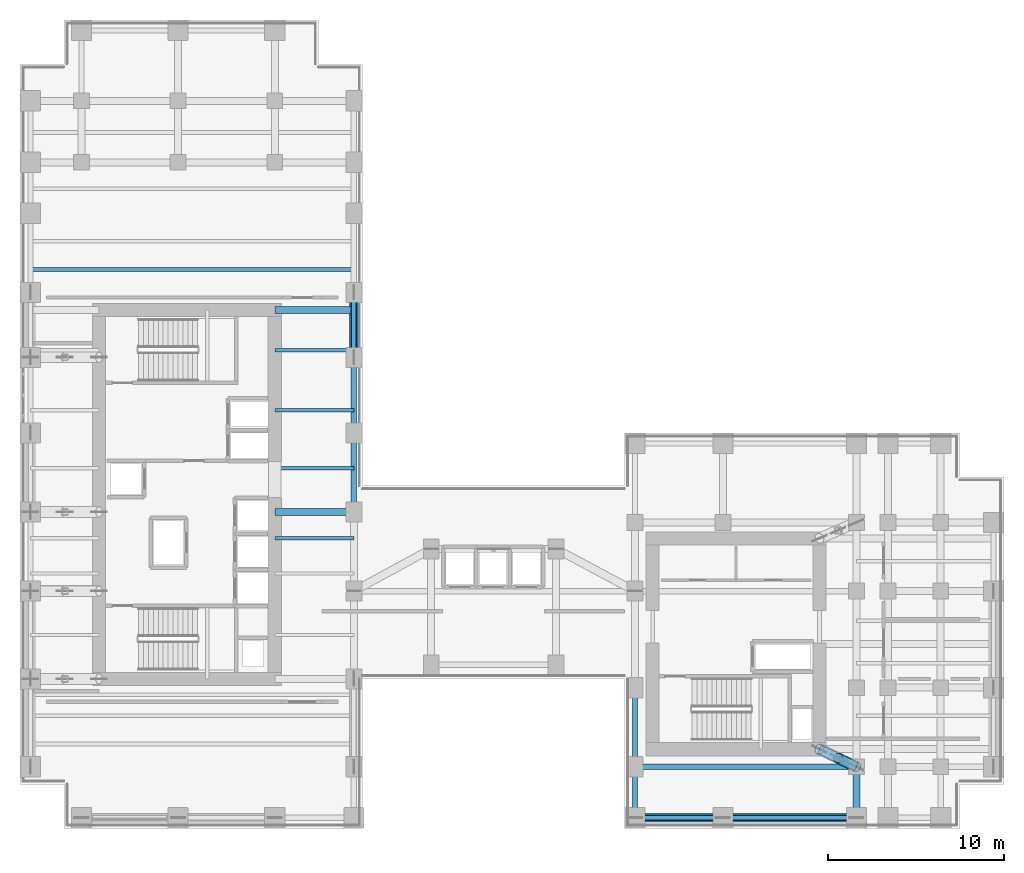
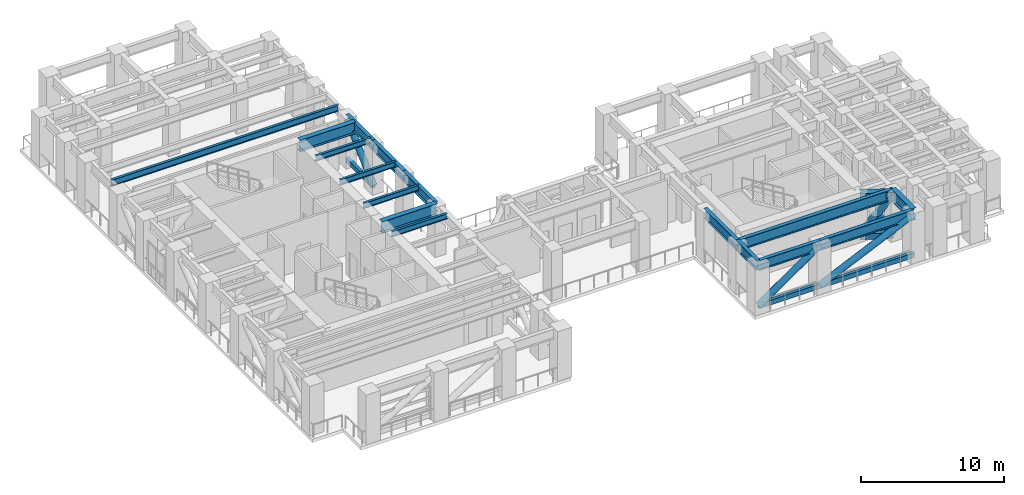
# One storey, part 5 of 16: 16 beams, 10 members.
"""IFC4 building model written with IfcOpenShell, lengths in metres."""

import ifcopenshell
import ifcopenshell.guid

model = None  # the IFC model being written
_history = None  # IfcOwnerHistory: only IFC2X3 demands one
_inside = {}  # id of a spatial element -> (the spatial element, [elements in it])
_under = {}  # id of a project, library or spatial element -> (it, [spatial elements below it])
_declared = {}  # id of a project -> (the project, [libraries it declares])
_typed = {}  # id of a type object -> (the type object, [elements of that type])
_made_of = {}  # id of a material, layer set ... -> (it, [elements and type objects made of it])


def new_model(schema):
    """Start an empty IFC model of exactly this schema.

    Asked for "IFC4X3", IfcOpenShell would pick the latest addendum, in which some entities
    have other attributes; the version numbers below select the first issue.
    IFC2X3 requires an IfcOwnerHistory on every rooted entity: one is made here for all.
    """
    global model, _history
    if schema == "IFC4X3":
        model = ifcopenshell.file(schema_version=(4, 3, 0, 0))
    else:
        model = ifcopenshell.file(schema=schema)
    _inside.clear()
    _under.clear()
    _declared.clear()
    _typed.clear()
    _made_of.clear()
    _history = None
    if model.schema == "IFC2X3":
        org = make("IfcOrganization", Name="unknown")
        user = make(
            "IfcPersonAndOrganization",
            ThePerson=make("IfcPerson", FamilyName="unknown"),
            TheOrganization=org,
        )
        app = make(
            "IfcApplication",
            ApplicationDeveloper=org,
            Version="unknown",
            ApplicationFullName="unknown",
            ApplicationIdentifier="unknown",
        )
        _history = make(
            "IfcOwnerHistory",
            OwningUser=user,
            OwningApplication=app,
            ChangeAction="ADDED",
            CreationDate=0,
        )
    return model


def make(cls, **values):
    """One entity of the class cls with the attributes given. An attribute that is None is left unset."""
    return model.create_entity(
        cls, **{name: value for name, value in values.items() if value is not None}
    )


def rooted(cls, **values):
    """An entity with a GlobalId (a new one), such as an element, a storey or a relation."""
    return make(cls, GlobalId=ifcopenshell.guid.new(), OwnerHistory=_history, **values)


def si_unit(unit_type, name, prefix=None):
    """IfcSIUnit, for example si_unit("LENGTHUNIT", "METRE", prefix="MILLI")."""
    return make("IfcSIUnit", UnitType=unit_type, Prefix=prefix, Name=name)


def assignment(units):
    """IfcUnitAssignment: the units of a project."""
    return None if units is None else make("IfcUnitAssignment", Units=units)


def point(xyz):
    """IfcCartesianPoint."""
    return None if xyz is None else make("IfcCartesianPoint", Coordinates=xyz)


def direction(xyz):
    """IfcDirection."""
    return None if xyz is None else make("IfcDirection", DirectionRatios=xyz)


def frame(location, z_axis=None, x_axis=None):
    """IfcAxis2Placement3D, a coordinate frame: its origin and axes. An axis left out is left unset."""
    return make(
        "IfcAxis2Placement3D",
        Location=point(location),
        Axis=direction(z_axis),
        RefDirection=direction(x_axis),
    )


def frame_2d(location, x_axis=None):
    """IfcAxis2Placement2D, a coordinate frame in the plane: its origin and x axis."""
    return make(
        "IfcAxis2Placement2D", Location=point(location), RefDirection=direction(x_axis)
    )


def origin():
    """The frame at (0, 0, 0) with its axes left unset."""
    return frame((0.0, 0.0, 0.0))


def origin_2d():
    """The frame at (0, 0) in the plane with its x axis left unset."""
    return frame_2d((0.0, 0.0))


def place(relative_to, where):
    """IfcLocalPlacement: puts the frame where relative to a parent placement (None: the world)."""
    return make(
        "IfcLocalPlacement", PlacementRelTo=relative_to, RelativePlacement=where
    )


def context(
    kind, dimensions, precision=None, world=None, true_north=None, identifier=None
):
    """IfcGeometricRepresentationContext, for example the 3D "Model" context."""
    return make(
        "IfcGeometricRepresentationContext",
        ContextIdentifier=identifier,
        ContextType=kind,
        CoordinateSpaceDimension=dimensions,
        Precision=precision,
        WorldCoordinateSystem=world,
        TrueNorth=true_north,
    )


def subcontext(parent, identifier, kind, view, scale=None):
    """IfcGeometricRepresentationSubContext, for example "Body" below "Model"."""
    return make(
        "IfcGeometricRepresentationSubContext",
        ContextIdentifier=identifier,
        ContextType=kind,
        ParentContext=parent,
        TargetScale=scale,
        TargetView=view,
    )


def project(units=None, contexts=None):
    """IfcProject with its units and contexts."""
    return rooted(
        "IfcProject",
        Name="project",
        RepresentationContexts=contexts,
        UnitsInContext=assignment(units),
    )


def spatial(cls, under=None, at=None, **own):
    """A site, building, storey or space (cls), placed at a placement, below another one or the project."""
    s = rooted(cls, ObjectPlacement=at, **own)
    if under is not None:
        _under.setdefault(under.id(), (under, []))[1].append(s)
    return s


def profile(cls, at=None, kind="AREA", **sizes):
    """A parametric profile (cls). Its sizes go by their IFC names, for example OverallWidth=200.0."""
    return make(cls, ProfileType=kind, Position=at, **sizes)


def hollow_rectangle(**sizes):
    """IfcRectangleHollowProfileDef."""
    return profile("IfcRectangleHollowProfileDef", **sizes)


def hollow_circle(**sizes):
    """IfcCircleHollowProfileDef."""
    return profile("IfcCircleHollowProfileDef", **sizes)


def i_section(**sizes):
    """IfcIShapeProfileDef."""
    return profile("IfcIShapeProfileDef", **sizes)


def extrude(swept, where, along, depth):
    """IfcExtrudedAreaSolid: the profile swept, set in the frame where, extruded along a direction by depth."""
    return make(
        "IfcExtrudedAreaSolid",
        SweptArea=swept,
        Position=where,
        ExtrudedDirection=direction(along),
        Depth=depth,
    )


def shape(context_of_items, identifier, shape_type, items):
    """IfcShapeRepresentation: the items that make up one representation, for example the "Body"."""
    return make(
        "IfcShapeRepresentation",
        ContextOfItems=context_of_items,
        RepresentationIdentifier=identifier,
        RepresentationType=shape_type,
        Items=items,
    )


def source(mapping_origin, context_of_items, identifier, shape_type, items):
    """IfcRepresentationMap: a shape defined once, which mapped items show again and again."""
    return make(
        "IfcRepresentationMap",
        MappingOrigin=mapping_origin,
        MappedRepresentation=shape(context_of_items, identifier, shape_type, items),
    )


def transform(
    local_origin,
    x_axis=None,
    y_axis=None,
    z_axis=None,
    scale=None,
    scale2=None,
    scale3=None,
    uniform=True,
):
    """IfcCartesianTransformationOperator3D, or its non-uniform kind. x_axis, y_axis, z_axis: its Axis1, 2, 3."""
    if uniform:
        return make(
            "IfcCartesianTransformationOperator3D",
            Axis1=direction(x_axis),
            Axis2=direction(y_axis),
            LocalOrigin=point(local_origin),
            Scale=scale,
            Axis3=direction(z_axis),
        )
    return make(
        "IfcCartesianTransformationOperator3DnonUniform",
        Axis1=direction(x_axis),
        Axis2=direction(y_axis),
        LocalOrigin=point(local_origin),
        Scale=scale,
        Axis3=direction(z_axis),
        Scale2=scale2,
        Scale3=scale3,
    )


def mapped(mapping_source, mapping_target):
    """IfcMappedItem: shows the shape of a source again, moved by a transform."""
    return make(
        "IfcMappedItem", MappingSource=mapping_source, MappingTarget=mapping_target
    )


def material(Name=None, Category=None):
    """IfcMaterial."""
    return make("IfcMaterial", Name=Name, Category=Category)


def material_profile(
    of_material, cross_section, Name=None, Category=None, Priority=None
):
    """IfcMaterialProfile: a cross section and its material."""
    return make(
        "IfcMaterialProfile",
        Name=Name,
        Material=of_material,
        Profile=cross_section,
        Priority=Priority,
        Category=Category,
    )


def profile_set(profiles, Name=None, composite=None):
    """IfcMaterialProfileSet."""
    return make(
        "IfcMaterialProfileSet",
        Name=Name,
        MaterialProfiles=profiles,
        CompositeProfile=composite,
    )


def made_of(thing, what):
    """Note that an element or type object is made of a material, layer set ...; save() writes the relation."""
    if what is not None:
        _made_of.setdefault(what.id(), (what, []))[1].append(thing)
    return thing


def type_object(cls, material=None, **own):
    """A type object (cls), such as IfcWallType, which elements share."""
    return made_of(rooted(cls, **own), material)


def element(
    cls,
    number,
    at=None,
    inside=None,
    cuts=None,
    type_object=None,
    material=None,
    context=None,
    identifier="Body",
    shape_type=None,
    held_by="IfcProductDefinitionShape",
    body=None,
    shapes=None,
    **own,
):
    """One element of the class cls, such as IfcWall. Its Tag is "e" and its number.

    at: its placement. inside: the storey or other place that contains it. cuts: it is an
    opening in that element (IfcRelVoidsElement). A single representation is given by context,
    identifier, shape_type and body (its items); several are given by shapes. held_by: the class
    of the entity that holds the representations. save() writes the other relations.
    """
    e = rooted(cls, Tag="e%d" % number, ObjectPlacement=at, **own)
    if body is not None:
        shapes = [shape(context, identifier, shape_type, body)]
    if shapes is not None:
        e.Representation = make(held_by, Representations=shapes)
    if inside is not None:
        _inside.setdefault(inside.id(), (inside, []))[1].append(e)
    if cuts is not None:
        rooted(
            "IfcRelVoidsElement", RelatingBuildingElement=cuts, RelatedOpeningElement=e
        )
    if type_object is not None:
        _typed.setdefault(type_object.id(), (type_object, []))[1].append(e)
    return made_of(e, material)


def aggregate(whole, parts):
    """IfcRelAggregates: a whole, such as a stair, and the parts it consists of."""
    return rooted("IfcRelAggregates", RelatingObject=whole, RelatedObjects=parts)


def save(model, path):
    """Write the relations noted so far, then the file.

    IfcRelAggregates (storeys below a building ...), IfcRelContainedInSpatialStructure (elements
    in a storey), IfcRelDefinesByType, IfcRelAssociatesMaterial and IfcRelDeclares: one each for
    every whole, place, type object, material and project.
    """
    for whole, parts in _under.values():
        aggregate(whole, parts)
    for where, things in _inside.values():
        rooted(
            "IfcRelContainedInSpatialStructure",
            RelatedElements=things,
            RelatingStructure=where,
        )
    for kind, things in _typed.values():
        rooted("IfcRelDefinesByType", RelatedObjects=things, RelatingType=kind)
    for what, things in _made_of.values():
        rooted("IfcRelAssociatesMaterial", RelatedObjects=things, RelatingMaterial=what)
    for by, libraries in _declared.values():
        rooted("IfcRelDeclares", RelatingContext=by, RelatedDefinitions=libraries)
    model.write(path)


model = new_model("IFC4")

# Units and contexts
model_context = context("Model", 3, precision=1e-05, world=origin(), true_north=direction((0.0, 1.0)))
body_context = subcontext(model_context, "Body", "Model", "MODEL_VIEW")
ifc_project = project(units=[si_unit("LENGTHUNIT", "METRE"), si_unit("AREAUNIT", "SQUARE_METRE"), si_unit("VOLUMEUNIT", "CUBIC_METRE"), si_unit("PLANEANGLEUNIT", "RADIAN"), si_unit("MASSUNIT", "GRAM", prefix="KILO")], contexts=[model_context])

# Site, building, storey
site_placement = place(None, origin())
site = spatial("IfcSite", under=ifc_project, at=site_placement, CompositionType="ELEMENT")
building_placement = place(site_placement, origin())
building = spatial("IfcBuilding", under=site, at=building_placement, Name="Kharzan Plaza Tower", CompositionType="ELEMENT")
storey_placement = place(building_placement, frame((0.0, 0.0, 138.60009765625)))
storey = spatial("IfcBuildingStorey", under=building, at=storey_placement, Name="L37", CompositionType="ELEMENT", Elevation=138.60009765625)

# Beams
ifc_material = material(Name="Steel S355", Category="steel")
ifc_material_profile_1 = material_profile(ifc_material, i_section(OverallWidth=0.304931640625, OverallDepth=0.9189453125, WebThickness=0.017333984375, FlangeThickness=0.02783203125, at=origin_2d()), Name="W920x253")
ifc_profile_set_1 = profile_set([ifc_material_profile_1], Name="Steel S355")
beam_type_1 = type_object("IfcBeamType", Name="BM-FG920B", PredefinedType="BEAM", material=ifc_profile_set_1)
shared_shape_1 = source(origin(), body_context, "Body", "SweptSolid", [
    extrude(i_section(OverallWidth=0.304931640625, OverallDepth=0.9189453125, WebThickness=0.017333984375, FlangeThickness=0.02783203125, at=origin_2d()), origin(), (0.0, 0.0, 1.0), 12.60009765625),
])
beam_1_placement = place(storey_placement, frame((35.0, 3.5, 3.80029296875), z_axis=(1.0, 0.0, 0.0), x_axis=(0.0, 1.0, 0.0)))
element("IfcBeam", 1, at=beam_1_placement, inside=storey, type_object=beam_type_1, Name="L37 Primary Floor Girder", PredefinedType="BEAM", context=body_context, shape_type="MappedRepresentation", body=[
    mapped(shared_shape_1, transform((0.0, 0.0, 0.0), x_axis=(1.0, 0.0, 0.0), y_axis=(0.0, 1.0, 0.0), z_axis=(0.0, 0.0, 1.0))),
])
ifc_material_profile_2 = material_profile(ifc_material, i_section(OverallWidth=0.2099609375, OverallDepth=0.537109375, WebThickness=0.010986328125, FlangeThickness=0.017333984375, at=origin_2d()), Name="W530x101")
ifc_profile_set_2 = profile_set([ifc_material_profile_2], Name="Steel S355")
beam_type_2 = type_object("IfcBeamType", Name="BM-JST530B", PredefinedType="JOIST", material=ifc_profile_set_2)
shared_shape_2 = source(origin(), body_context, "Body", "SweptSolid", [
    extrude(i_section(OverallWidth=0.2099609375, OverallDepth=0.537109375, WebThickness=0.010986328125, FlangeThickness=0.017333984375, at=origin_2d()), origin(), (0.0, 0.0, 1.0), 18.39990234375),
])
beam_2_placement = place(storey_placement, frame((0.60009765625, 31.800048828125, 3.991455078125), z_axis=(1.0, 0.0, 0.0), x_axis=(0.0, 1.0, 0.0)))
element("IfcBeam", 2, at=beam_2_placement, inside=storey, type_object=beam_type_2, Name="L37 Wing A Composite Joist 04", PredefinedType="JOIST", context=body_context, shape_type="MappedRepresentation", body=[
    mapped(shared_shape_2, transform((0.0, 0.0, 0.0), x_axis=(1.0, 0.0, 0.0), y_axis=(0.0, 1.0, 0.0), z_axis=(0.0, 0.0, 1.0))),
])
ifc_material_profile_3 = material_profile(ifc_material, i_section(OverallWidth=0.194091796875, OverallDepth=0.468994140625, WebThickness=0.011474609375, FlangeThickness=0.0205078125, at=origin_2d()), Name="W460x106")
ifc_profile_set_3 = profile_set([ifc_material_profile_3], Name="Steel S355")
beam_type_3 = type_object("IfcBeamType", Name="BM-JST460", PredefinedType="JOIST", material=ifc_profile_set_3)
shared_shape_3 = source(origin(), body_context, "Body", "SweptSolid", [
    extrude(i_section(OverallWidth=0.194091796875, OverallDepth=0.468994140625, WebThickness=0.011474609375, FlangeThickness=0.0205078125, at=origin_2d()), origin(), (0.0, 0.0, 1.0), 4.5),
])
for number, where, z_axis, x_axis, name in (
    (3, (14.5, 16.5, 4.025390625), (1.0, 0.0, 0.0), (0.0, 1.0, 0.0), "L37 Wing A East Infill Joist 3"),
    (4, (14.5, 20.5, 4.025390625), (1.0, 0.0, 0.0), (0.0, 1.0, 0.0), "L37 Wing A East Infill Joist 4"),
    (5, (14.5, 23.800048828125, 4.025390625), (1.0, 0.0, 0.0), (0.0, 1.0, 0.0), "L37 Wing A East Infill Joist 5"),
    (6, (14.5, 27.199951171875, 4.025390625), (1.0, 0.0, 0.0), (0.0, 1.0, 0.0), "L37 Wing A East Infill Joist 6"),
):
    element("IfcBeam", number, at=place(storey_placement, frame(where, z_axis=z_axis, x_axis=x_axis)), inside=storey, type_object=beam_type_3, Name=name, PredefinedType="JOIST", context=body_context, shape_type="MappedRepresentation", body=[
        mapped(shared_shape_3, transform((0.0, 0.0, 0.0), x_axis=(1.0, 0.0, 0.0), y_axis=(0.0, 1.0, 0.0), z_axis=(0.0, 0.0, 1.0))),
    ])
ifc_material_profile_4 = material_profile(ifc_material, i_section(OverallWidth=0.39794921875, OverallDepth=1.0, WebThickness=0.017578125, FlangeThickness=0.02880859375, at=origin_2d()), Name="W1000x321")
ifc_profile_set_4 = profile_set([ifc_material_profile_4], Name="Steel S355")
beam_type_4 = type_object("IfcBeamType", Name="BM-PG1000B", PredefinedType="BEAM", material=ifc_profile_set_4)
shared_shape_4 = source(origin(), body_context, "Body", "SweptSolid", [
    extrude(i_section(OverallWidth=0.39794921875, OverallDepth=1.0, WebThickness=0.017578125, FlangeThickness=0.02880859375, at=origin_2d()), origin(), (0.0, 0.0, 1.0), 4.5),
])
for number, where, z_axis, x_axis, name in (
    (7, (14.5, 18.0, 3.760009765625), (1.0, 0.0, 0.0), (0.0, 1.0, 0.0), "L37 Core-A East Floor Girder 2"),
    (8, (14.5, 29.5, 3.760009765625), (1.0, 0.0, 0.0), (0.0, 1.0, 0.0), "L37 Core-A East Floor Girder 3"),
):
    element("IfcBeam", number, at=place(storey_placement, frame(where, z_axis=z_axis, x_axis=x_axis)), inside=storey, type_object=beam_type_4, Name=name, PredefinedType="BEAM", context=body_context, shape_type="MappedRepresentation", body=[
        mapped(shared_shape_4, transform((0.0, 0.0, 0.0), x_axis=(1.0, 0.0, 0.0), y_axis=(0.0, 1.0, 0.0), z_axis=(0.0, 0.0, 1.0))),
    ])
shared_shape_5 = source(origin(), body_context, "Body", "SweptSolid", [
    extrude(i_section(OverallWidth=0.39794921875, OverallDepth=1.0, WebThickness=0.017578125, FlangeThickness=0.02880859375, at=origin_2d()), origin(), (0.0, 0.0, 1.0), 2.89990234375),
])
beam_3_placement = place(storey_placement, frame((47.60009765625, 0.60009765625, 3.760009765625), z_axis=(0.0, 1.0, 0.0), x_axis=(-1.0, 0.0, 0.0)))
element("IfcBeam", 9, at=beam_3_placement, inside=storey, type_object=beam_type_4, Name="L37 Interior Frame Girder", PredefinedType="BEAM", context=body_context, shape_type="MappedRepresentation", body=[
    mapped(shared_shape_5, transform((0.0, 0.0, 0.0), x_axis=(1.0, 0.0, 0.0), y_axis=(0.0, 1.0, 0.0), z_axis=(0.0, 0.0, 1.0))),
])

# Members
ifc_material_profile_5 = material_profile(ifc_material, hollow_rectangle(XDim=0.25, YDim=0.39990234375, WallThickness=0.01611328125, at=origin_2d()), Name="RHS400x250x16")
ifc_profile_set_5 = profile_set([ifc_material_profile_5], Name="Steel S355")
member_type_1 = type_object("IfcMemberType", Name="MEM-BT-CHORD", PredefinedType="CHORD", material=ifc_profile_set_5)
shared_shape_6 = source(origin(), body_context, "Body", "SweptSolid", [
    extrude(hollow_rectangle(XDim=0.25, YDim=0.39990234375, WallThickness=0.01611328125, at=origin_2d()), origin(), (0.0, 0.0, 1.0), 5.0),
])
member_1_placement = place(storey_placement, frame((35.0, 0.60009765625, 0.349853515625), z_axis=(1.0, 0.0, 0.0), x_axis=(0.0, 1.0, 0.0)))
element("IfcMember", 10, at=member_1_placement, inside=storey, type_object=member_type_1, Name="L37 Belt Truss Bottom Chord BTS-3", PredefinedType="CHORD", context=body_context, shape_type="MappedRepresentation", body=[
    mapped(shared_shape_6, transform((0.0, 0.0, 0.0), x_axis=(1.0, 0.0, 0.0), y_axis=(0.0, 1.0, 0.0), z_axis=(0.0, 0.0, 1.0))),
])
shared_shape_7 = source(origin(), body_context, "Body", "SweptSolid", [
    extrude(hollow_rectangle(XDim=0.25, YDim=0.39990234375, WallThickness=0.01611328125, at=origin_2d()), origin(), (0.0, 0.0, 1.0), 3.699951171875),
])
member_2_placement = place(storey_placement, frame((19.0, 26.800048828125, 0.349853515625), z_axis=(0.0, 1.0, 0.0), x_axis=(-1.0, 0.0, 0.0)))
element("IfcMember", 11, at=member_2_placement, inside=storey, type_object=member_type_1, Name="L37 Belt Truss Bottom Chord BTA-2", PredefinedType="CHORD", context=body_context, shape_type="MappedRepresentation", body=[
    mapped(shared_shape_7, transform((0.0, 0.0, 0.0), x_axis=(1.0, 0.0, 0.0), y_axis=(0.0, 1.0, 0.0), z_axis=(0.0, 0.0, 1.0))),
])
shared_shape_8 = source(origin(), body_context, "Body", "SweptSolid", [
    extrude(hollow_rectangle(XDim=0.25, YDim=0.39990234375, WallThickness=0.01611328125, at=origin_2d()), origin(), (0.0, 0.0, 1.0), 7.60009765625),
])
member_3_placement = place(storey_placement, frame((40.0, 0.60009765625, 0.349853515625), z_axis=(1.0, 0.0, 0.0), x_axis=(0.0, 1.0, 0.0)))
element("IfcMember", 12, at=member_3_placement, inside=storey, type_object=member_type_1, Name="L37 Belt Truss Bottom Chord BTS-4", PredefinedType="CHORD", context=body_context, shape_type="MappedRepresentation", body=[
    mapped(shared_shape_8, transform((0.0, 0.0, 0.0), x_axis=(1.0, 0.0, 0.0), y_axis=(0.0, 1.0, 0.0), z_axis=(0.0, 0.0, 1.0))),
])
ifc_material_profile_6 = material_profile(ifc_material, hollow_circle(Radius=0.25390625, WallThickness=0.02001953125, at=origin_2d()), Name="CHS508x20")
ifc_profile_set_6 = profile_set([ifc_material_profile_6], Name="Steel S355")
member_type_2 = type_object("IfcMemberType", Name="MEM-BT-DIAG", PredefinedType="BRACE", material=ifc_profile_set_6)
shared_shape_9 = source(origin(), body_context, "Body", "SweptSolid", [
    extrude(hollow_circle(Radius=0.25390625, WallThickness=0.02001953125, at=origin_2d()), origin(), (0.0, 0.0, 1.0), 6.080322265625),
])
member_4_placement = place(storey_placement, frame((35.0, 0.60009765625, 0.349853515625), z_axis=(0.822313592679, 0.0, 0.569034581809), x_axis=(0.0, 1.0, 0.0)))
element("IfcMember", 13, at=member_4_placement, inside=storey, type_object=member_type_2, Name="L37 Belt Truss Diagonal BTS-3", PredefinedType="BRACE", context=body_context, shape_type="MappedRepresentation", body=[
    mapped(shared_shape_9, transform((0.0, 0.0, 0.0), x_axis=(1.0, 0.0, 0.0), y_axis=(0.0, 1.0, 0.0), z_axis=(0.0, 0.0, 1.0))),
])
shared_shape_10 = source(origin(), body_context, "Body", "SweptSolid", [
    extrude(hollow_circle(Radius=0.25390625, WallThickness=0.02001953125, at=origin_2d()), origin(), (0.0, 0.0, 1.0), 5.065673828125),
])
member_5_placement = place(storey_placement, frame((19.0, 26.800048828125, 0.349853515625), z_axis=(0.0, 0.730397826417, 0.683021972681), x_axis=(-1.0, 0.0, 0.0)))
element("IfcMember", 14, at=member_5_placement, inside=storey, type_object=member_type_2, Name="L37 Belt Truss Diagonal BTA-2", PredefinedType="BRACE", context=body_context, shape_type="MappedRepresentation", body=[
    mapped(shared_shape_10, transform((0.0, 0.0, 0.0), x_axis=(1.0, 0.0, 0.0), y_axis=(0.0, 1.0, 0.0), z_axis=(0.0, 0.0, 1.0))),
])
shared_shape_11 = source(origin(), body_context, "Body", "SweptSolid", [
    extrude(hollow_circle(Radius=0.25390625, WallThickness=0.02001953125, at=origin_2d()), origin(), (0.0, 0.0, 1.0), 8.3505859375),
])
member_6_placement = place(storey_placement, frame((40.0, 0.60009765625, 0.349853515625), z_axis=(0.910124021086, 0.0, 0.414335934046), x_axis=(0.0, 1.0, 0.0)))
element("IfcMember", 15, at=member_6_placement, inside=storey, type_object=member_type_2, Name="L37 Belt Truss Diagonal BTS-4", PredefinedType="BRACE", context=body_context, shape_type="MappedRepresentation", body=[
    mapped(shared_shape_11, transform((0.0, 0.0, 0.0), x_axis=(1.0, 0.0, 0.0), y_axis=(0.0, 1.0, 0.0), z_axis=(0.0, 0.0, 1.0))),
])
ifc_material_profile_7 = material_profile(ifc_material, hollow_rectangle(XDim=0.5, YDim=0.5, WallThickness=0.02490234375, at=origin_2d()), Name="SHS500x500x25")
ifc_profile_set_7 = profile_set([ifc_material_profile_7], Name="Steel S355")
member_type_3 = type_object("IfcMemberType", Name="MEM-OT-CHORD", PredefinedType="CHORD", material=ifc_profile_set_7)
shared_shape_12 = source(origin(), body_context, "Body", "SweptSolid", [
    extrude(hollow_rectangle(XDim=0.5, YDim=0.5, WallThickness=0.02490234375, at=origin_2d()), origin(), (0.0, 0.0, 1.0), 2.325927734375),
])
for number, where, z_axis, x_axis, name in (
    (16, (45.5, 4.5, 0.349853515625), (0.902868279141, -0.429917283348, 0.0), (0.429917283348, 0.902868279141, 0.0), "L37 Outrigger Truss Bottom Chord OTB-E1"),
    (17, (45.5, 4.5, 3.809814453125), (0.902868279141, -0.429917283348, 0.0), (0.429917283348, 0.902868279141, 0.0), "L37 Outrigger Truss Top Chord OTB-E1"),
):
    element("IfcMember", number, at=place(storey_placement, frame(where, z_axis=z_axis, x_axis=x_axis)), inside=storey, type_object=member_type_3, Name=name, PredefinedType="CHORD", context=body_context, shape_type="MappedRepresentation", body=[
        mapped(shared_shape_12, transform((0.0, 0.0, 0.0), x_axis=(1.0, 0.0, 0.0), y_axis=(0.0, 1.0, 0.0), z_axis=(0.0, 0.0, 1.0))),
    ])
ifc_material_profile_8 = material_profile(ifc_material, hollow_circle(Radius=0.304931640625, WallThickness=0.02490234375, at=origin_2d()), Name="CHS610x25")
ifc_profile_set_8 = profile_set([ifc_material_profile_8], Name="Steel S355")
member_type_4 = type_object("IfcMemberType", Name="MEM-OT-DIAG", PredefinedType="BRACE", material=ifc_profile_set_8)
shared_shape_13 = source(origin(), body_context, "Body", "SweptSolid", [
    extrude(hollow_circle(Radius=0.304931640625, WallThickness=0.02490234375, at=origin_2d()), origin(), (0.0, 0.0, 1.0), 4.169189453125),
])
member_7_placement = place(storey_placement, frame((45.5, 4.5, 0.349853515625), z_axis=(0.503724259824, -0.239857541065, 0.829897722649), x_axis=(0.429917283348, 0.902868279141, 0.0)))
element("IfcMember", 18, at=member_7_placement, inside=storey, type_object=member_type_4, Name="L37 Outrigger Truss Diagonal OTB-E1-1", PredefinedType="BRACE", context=body_context, shape_type="MappedRepresentation", body=[
    mapped(shared_shape_13, transform((0.0, 0.0, 0.0), x_axis=(1.0, 0.0, 0.0), y_axis=(0.0, 1.0, 0.0), z_axis=(0.0, 0.0, 1.0))),
])
shared_shape_14 = source(origin(), body_context, "Body", "SweptSolid", [
    extrude(hollow_circle(Radius=0.304931640625, WallThickness=0.02490234375, at=origin_2d()), origin(), (0.0, 0.0, 1.0), 2.08447265625),
])
member_8_placement = place(storey_placement, frame((46.550048828125, 4.0, 2.079833984375), z_axis=(0.503724259824, -0.239857541065, -0.829897722649), x_axis=(0.429917283348, 0.902868279141, 0.0)))
element("IfcMember", 19, at=member_8_placement, inside=storey, type_object=member_type_4, Name="L37 Outrigger Truss Split Diagonal OTB-E1-2B", PredefinedType="BRACE", context=body_context, shape_type="MappedRepresentation", body=[
    mapped(shared_shape_14, transform((0.0, 0.0, 0.0), x_axis=(1.0, 0.0, 0.0), y_axis=(0.0, 1.0, 0.0), z_axis=(0.0, 0.0, 1.0))),
])

# Beams
ifc_material_profile_9 = material_profile(ifc_material, i_section(OverallWidth=0.299072265625, OverallDepth=0.845947265625, WebThickness=0.015380859375, FlangeThickness=0.0244140625, at=origin_2d()), Name="W840x210")
ifc_profile_set_9 = profile_set([ifc_material_profile_9], Name="Steel S355")
beam_type_5 = type_object("IfcBeamType", Name="BM-SP840B", PredefinedType="SPANDREL", material=ifc_profile_set_9)
shared_shape_15 = source(origin(), body_context, "Body", "SweptSolid", [
    extrude(i_section(OverallWidth=0.299072265625, OverallDepth=0.845947265625, WebThickness=0.015380859375, FlangeThickness=0.0244140625, at=origin_2d()), origin(), (0.0, 0.0, 1.0), 5.0),
])
beam_4_placement = place(storey_placement, frame((35.0, 0.60009765625, 3.8369140625), z_axis=(1.0, 0.0, 0.0), x_axis=(0.0, 1.0, 0.0)))
element("IfcBeam", 20, at=beam_4_placement, inside=storey, type_object=beam_type_5, Name="L37 Perimeter Tube Spandrel", PredefinedType="SPANDREL", context=body_context, shape_type="MappedRepresentation", body=[
    mapped(shared_shape_15, transform((0.0, 0.0, 0.0), x_axis=(1.0, 0.0, 0.0), y_axis=(0.0, 1.0, 0.0), z_axis=(0.0, 0.0, 1.0))),
])
shared_shape_16 = source(origin(), body_context, "Body", "SweptSolid", [
    extrude(i_section(OverallWidth=0.299072265625, OverallDepth=0.845947265625, WebThickness=0.015380859375, FlangeThickness=0.0244140625, at=origin_2d()), origin(), (0.0, 0.0, 1.0), 4.5),
])
for number, where, z_axis, x_axis, name in (
    (21, (19.0, 18.0, 3.8369140625), (0.0, 1.0, 0.0), (-1.0, 0.0, 0.0), "L37 Perimeter Tube Spandrel"),
    (22, (35.0, 3.5, 3.8369140625), (0.0, 1.0, 0.0), (-1.0, 0.0, 0.0), "L37 Perimeter Tube Spandrel"),
):
    element("IfcBeam", number, at=place(storey_placement, frame(where, z_axis=z_axis, x_axis=x_axis)), inside=storey, type_object=beam_type_5, Name=name, PredefinedType="SPANDREL", context=body_context, shape_type="MappedRepresentation", body=[
        mapped(shared_shape_16, transform((0.0, 0.0, 0.0), x_axis=(1.0, 0.0, 0.0), y_axis=(0.0, 1.0, 0.0), z_axis=(0.0, 0.0, 1.0))),
    ])
shared_shape_17 = source(origin(), body_context, "Body", "SweptSolid", [
    extrude(i_section(OverallWidth=0.299072265625, OverallDepth=0.845947265625, WebThickness=0.015380859375, FlangeThickness=0.0244140625, at=origin_2d()), origin(), (0.0, 0.0, 1.0), 4.300048828125),
])
beam_5_placement = place(storey_placement, frame((19.0, 22.5, 3.8369140625), z_axis=(0.0, 1.0, 0.0), x_axis=(-1.0, 0.0, 0.0)))
element("IfcBeam", 23, at=beam_5_placement, inside=storey, type_object=beam_type_5, Name="L37 Perimeter Tube Spandrel", PredefinedType="SPANDREL", context=body_context, shape_type="MappedRepresentation", body=[
    mapped(shared_shape_17, transform((0.0, 0.0, 0.0), x_axis=(1.0, 0.0, 0.0), y_axis=(0.0, 1.0, 0.0), z_axis=(0.0, 0.0, 1.0))),
])
shared_shape_18 = source(origin(), body_context, "Body", "SweptSolid", [
    extrude(i_section(OverallWidth=0.299072265625, OverallDepth=0.845947265625, WebThickness=0.015380859375, FlangeThickness=0.0244140625, at=origin_2d()), origin(), (0.0, 0.0, 1.0), 3.699951171875),
])
beam_6_placement = place(storey_placement, frame((19.0, 26.800048828125, 3.8369140625), z_axis=(0.0, 1.0, 0.0), x_axis=(-1.0, 0.0, 0.0)))
element("IfcBeam", 24, at=beam_6_placement, inside=storey, type_object=beam_type_5, Name="L37 Perimeter Tube Spandrel", PredefinedType="SPANDREL", context=body_context, shape_type="MappedRepresentation", body=[
    mapped(shared_shape_18, transform((0.0, 0.0, 0.0), x_axis=(1.0, 0.0, 0.0), y_axis=(0.0, 1.0, 0.0), z_axis=(0.0, 0.0, 1.0))),
])
shared_shape_19 = source(origin(), body_context, "Body", "SweptSolid", [
    extrude(i_section(OverallWidth=0.299072265625, OverallDepth=0.845947265625, WebThickness=0.015380859375, FlangeThickness=0.0244140625, at=origin_2d()), origin(), (0.0, 0.0, 1.0), 2.89990234375),
])
beam_7_placement = place(storey_placement, frame((35.0, 0.60009765625, 3.8369140625), z_axis=(0.0, 1.0, 0.0), x_axis=(-1.0, 0.0, 0.0)))
element("IfcBeam", 25, at=beam_7_placement, inside=storey, type_object=beam_type_5, Name="L37 Perimeter Tube Spandrel", PredefinedType="SPANDREL", context=body_context, shape_type="MappedRepresentation", body=[
    mapped(shared_shape_19, transform((0.0, 0.0, 0.0), x_axis=(1.0, 0.0, 0.0), y_axis=(0.0, 1.0, 0.0), z_axis=(0.0, 0.0, 1.0))),
])
shared_shape_20 = source(origin(), body_context, "Body", "SweptSolid", [
    extrude(i_section(OverallWidth=0.299072265625, OverallDepth=0.845947265625, WebThickness=0.015380859375, FlangeThickness=0.0244140625, at=origin_2d()), origin(), (0.0, 0.0, 1.0), 7.60009765625),
])
beam_8_placement = place(storey_placement, frame((40.0, 0.60009765625, 3.8369140625), z_axis=(1.0, 0.0, 0.0), x_axis=(0.0, 1.0, 0.0)))
element("IfcBeam", 26, at=beam_8_placement, inside=storey, type_object=beam_type_5, Name="L37 Perimeter Tube Spandrel", PredefinedType="SPANDREL", context=body_context, shape_type="MappedRepresentation", body=[
    mapped(shared_shape_20, transform((0.0, 0.0, 0.0), x_axis=(1.0, 0.0, 0.0), y_axis=(0.0, 1.0, 0.0), z_axis=(0.0, 0.0, 1.0))),
])

save(model, "model.ifc")
